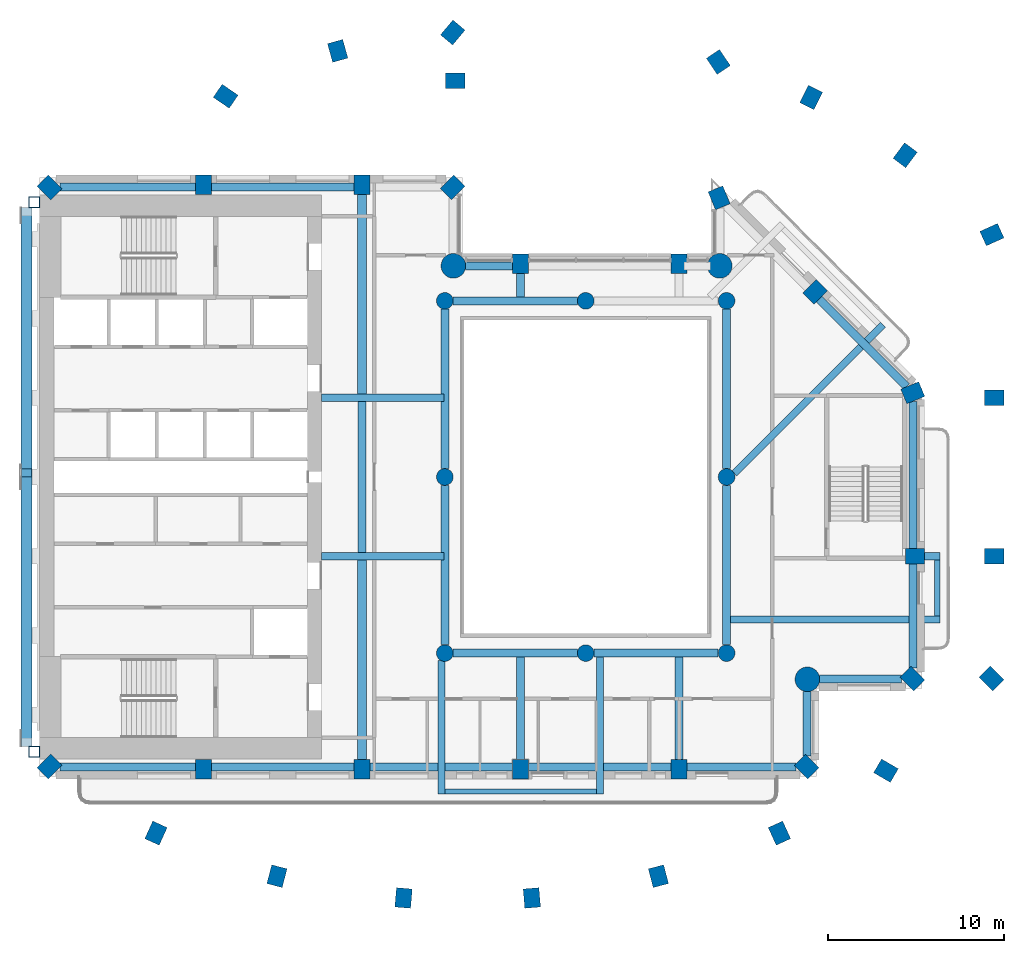
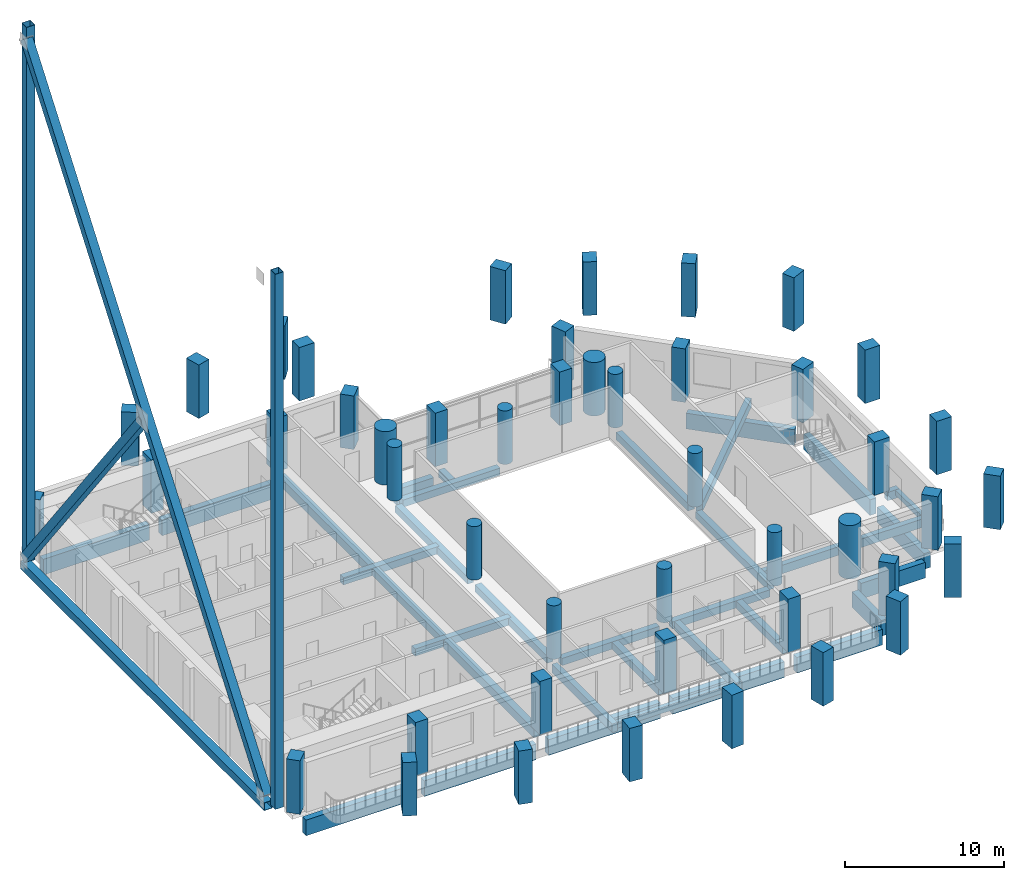
# One storey, part 1 of 16: 46 columns, 35 beams, 5 members.
"""IFC4 building model written with IfcOpenShell, lengths in metres."""

from ifc_helpers import new_model, si_unit, direction, frame, origin, origin_2d, place, context, subcontext, project, spatial, rectangle, hollow_rectangle, circle, extrude, material, material_profile, profile_set, type_object, element, save


model = new_model("IFC4")

# Units and contexts
model_context = context("Model", 3, precision=1e-05, world=origin(), true_north=direction((0.0, 1.0)))
body_context = subcontext(model_context, "Body", "Model", "MODEL_VIEW")
ifc_project = project(units=[si_unit("LENGTHUNIT", "METRE"), si_unit("AREAUNIT", "SQUARE_METRE"), si_unit("VOLUMEUNIT", "CUBIC_METRE"), si_unit("PLANEANGLEUNIT", "RADIAN"), si_unit("MASSUNIT", "GRAM", prefix="KILO")], contexts=[model_context])

# Site, building, storey
site_placement = place(None, origin())
site = spatial("IfcSite", under=ifc_project, at=site_placement, CompositionType="ELEMENT")
building_placement = place(site_placement, origin())
building = spatial("IfcBuilding", under=site, at=building_placement, Name="Cypress Arch Tower", CompositionType="ELEMENT")
storey_placement = place(building_placement, frame((0.0, 0.0, 197.39990234375)))
storey = spatial("IfcBuildingStorey", under=building, at=storey_placement, Name="L43", CompositionType="ELEMENT", Elevation=197.39990234375)

# Columns
ifc_material_1 = material(Name="Concrete C70/85", Category="concrete")
ifc_material_profile_1 = material_profile(ifc_material_1, rectangle(XDim=0.89990234375, YDim=1.10009765625, at=origin_2d()), Name="RC 900x1100")
ifc_profile_set_1 = profile_set([ifc_material_profile_1], Name="Concrete C70/85")
column_type_1 = type_object("IfcColumnType", Name="Column RC 900x1100 Concrete C70/85", PredefinedType="COLUMN", material=ifc_profile_set_1)
for number, where, z_axis, x_axis, name in (
    (1, (-29.44287109375, 16.44287109375, 0.0), (0.0, 0.0, 1.0), (-0.707106781187, -0.707106781187, 0.0), "Column L43 CB00"),
    (2, (-29.44287109375, -16.44287109375, 0.0), (0.0, 0.0, 1.0), (0.707106781187, -0.707106781187, 0.0), "Column L43 CB01"),
    (3, (-20.699951171875, -16.60009765625, 0.0), (0.0, 0.0, 1.0), (1.0, 0.0, 0.0), "Column L43 CB02"),
    (4, (-11.699951171875, -16.60009765625, 0.0), (0.0, 0.0, 1.0), (1.0, 0.0, 0.0), "Column L43 CB03"),
    (5, (-2.699951171875, -16.60009765625, 0.0), (0.0, 0.0, 1.0), (1.0, 0.0, 0.0), "Column L43 CB04"),
    (6, (6.300048828125, -16.60009765625, 0.0), (0.0, 0.0, 1.0), (1.0, 0.0, 0.0), "Column L43 CB05"),
    (7, (13.54296875, -16.44287109375, 0.0), (0.0, 0.0, 1.0), (0.707106781187, 0.707106781187, 0.0), "Column L43 CB06"),
    (8, (19.54296875, -11.44287109375, 0.0), (0.0, 0.0, 1.0), (0.707106781187, 0.707106781187, 0.0), "Column L43 CB08"),
    (9, (19.699951171875, -4.5, 0.0), (0.0, 0.0, 1.0), (0.0, 1.0, 0.0), "Column L43 CB09"),
    (10, (19.569580078125, 4.7802734375, 0.0), (0.0, 0.0, 1.0), (-0.382683496864, 0.923879505795, 0.0), "Column L43 CB10"),
    (11, (14.029296875, 10.505126953125, 0.0), (0.0, 0.0, 1.0), (-0.707106781187, 0.707106781187, 0.0), "Column L43 CB11"),
    (12, (8.576171875, 15.850341796875, 0.0), (0.0, 0.0, 1.0), (-0.923879672772, -0.382683093746, 0.0), "Column L43 CB12"),
    (13, (6.300048828125, 12.10009765625, 0.0), (0.0, 0.0, 1.0), (-1.0, 0.0, 0.0), "Column L43 CB14"),
    (14, (-2.699951171875, 12.10009765625, 0.0), (0.0, 0.0, 1.0), (-1.0, 0.0, 0.0), "Column L43 CB15"),
    (15, (-6.55712890625, 16.44287109375, 0.0), (0.0, 0.0, 1.0), (-0.707106781187, 0.707106781187, 0.0), "Column L43 CB17"),
    (16, (-11.699951171875, 16.60009765625, 0.0), (0.0, 0.0, 1.0), (-1.0, 0.0, 0.0), "Column L43 CB18"),
    (17, (-20.699951171875, 16.60009765625, 0.0), (0.0, 0.0, 1.0), (-1.0, 0.0, 0.0), "Column L43 CB19"),
    (18, (8.53076171875, 23.564697265625, 0.0), (0.0, 0.0, 1.0), (-0.828469606019, -0.560034027451, 0.0), "Column L43 CQ00"),
    (19, (-6.39990234375, 22.5, 0.0), (0.0, 0.0, 1.0), (0.0, 1.0, 0.0), "Column L43 CQ01"),
    (20, (-6.54833984375, 25.236572265625, 0.0), (0.0, 0.0, 1.0), (-0.766063514674, 0.642764880407, 0.0), "Column L43 CQ02"),
    (21, (-13.081298828125, 24.193359375, 0.0), (0.0, 0.0, 1.0), (-0.96345574646, -0.267867550506, 0.0), "Column L43 CQ03"),
    (22, (-19.44189453125, 21.616943359375, 0.0), (0.0, 0.0, 1.0), (-0.565892599589, -0.824478966215, 0.0), "Column L43 CQ04"),
    (23, (-23.398193359375, -20.221435546875, 0.0), (0.0, 0.0, 1.0), (0.909932071487, -0.414757308891, 0.0), "Column L43 CQ05"),
    (24, (-16.529052734375, -22.666259765625, 0.0), (0.0, 0.0, 1.0), (0.96735573689, -0.2534223319, 0.0), "Column L43 CQ06"),
    (25, (-9.3427734375, -23.903564453125, 0.0), (0.0, 0.0, 1.0), (0.996368206733, -0.085149260784, 0.0), "Column L43 CQ07"),
    (26, (-2.057373046875, -23.903564453125, 0.0), (0.0, 0.0, 1.0), (0.996368206733, 0.085149260784, 0.0), "Column L43 CQ08"),
    (27, (5.12890625, -22.666259765625, 0.0), (0.0, 0.0, 1.0), (0.96735573689, 0.2534223319, 0.0), "Column L43 CQ09"),
    (28, (11.998291015625, -20.221435546875, 0.0), (0.0, 0.0, 1.0), (0.909932071487, 0.414757308891, 0.0), "Column L43 CQ10"),
    (29, (18.048095703125, -16.677490234375, 0.0), (0.0, 0.0, 1.0), (0.504399289829, 0.86347053014, 0.0), "Column L43 CQ11"),
    (30, (24.04296875, -11.44287109375, 0.0), (0.0, 0.0, 1.0), (0.707106781187, 0.707106781187, 0.0), "Column L43 CQ12"),
    (31, (24.199951171875, -4.5, 0.0), (0.0, 0.0, 1.0), (0.0, 1.0, 0.0), "Column L43 CQ13"),
    (32, (24.199951171875, 4.5, 0.0), (0.0, 0.0, 1.0), (0.0, 1.0, 0.0), "Column L43 CQ14"),
    (33, (24.06396484375, 13.75927734375, 0.0), (0.0, 0.0, 1.0), (-0.409765058504, 0.912191096662, 0.0), "Column L43 CQ15"),
    (34, (19.13818359375, 18.267578125, 0.0), (0.0, 0.0, 1.0), (-0.802798546114, 0.596250362144, 0.0), "Column L43 CQ16"),
    (35, (13.80322265625, 21.549072265625, 0.0), (0.0, 0.0, 1.0), (-0.893106499805, 0.44984528452, 0.0), "Column L43 CQ17"),
):
    element("IfcColumn", number, at=place(storey_placement, frame(where, z_axis=z_axis, x_axis=x_axis)), inside=storey, type_object=column_type_1, Name=name, PredefinedType="COLUMN", context=body_context, shape_type="SweptSolid", body=[
        extrude(rectangle(XDim=0.89990234375, YDim=1.10009765625, at=origin_2d()), origin(), (0.0, 0.0, 1.0), 4.10009765625),
    ])
ifc_material_2 = material(Name="Concrete C70/85", Category="concrete")
ifc_material_profile_2 = material_profile(ifc_material_2, circle(Radius=0.47509765625, at=origin_2d()), Name="RC D950")
ifc_profile_set_2 = profile_set([ifc_material_profile_2], Name="Concrete C70/85")
column_type_2 = type_object("IfcColumnType", Name="Column RC D950 Concrete C70/85", PredefinedType="COLUMN", material=ifc_profile_set_2)
for number, where, z_axis, x_axis, name in (
    (36, (-7.0, -10.0, 0.0), (0.0, 0.0, 1.0), (1.0, 0.0, 0.0), "Column L43 RNG-L43-G-7-10"),
    (37, (-7.0, 0.0, 0.0), (0.0, 0.0, 1.0), (1.0, 0.0, 0.0), "Column L43 RNG-L43-G-7+0"),
    (38, (-7.0, 10.0, 0.0), (0.0, 0.0, 1.0), (1.0, 0.0, 0.0), "Column L43 RNG-L43-G-7+10"),
    (39, (1.0, -10.0, 0.0), (0.0, 0.0, 1.0), (1.0, 0.0, 0.0), "Column L43 RNG-L43-G+1-10"),
    (40, (1.0, 10.0, 0.0), (0.0, 0.0, 1.0), (1.0, 0.0, 0.0), "Column L43 RNG-L43-G+1+10"),
    (41, (9.0, -10.0, 0.0), (0.0, 0.0, 1.0), (1.0, 0.0, 0.0), "Column L43 RNG-L43-G+9-10"),
    (42, (9.0, 0.0, 0.0), (0.0, 0.0, 1.0), (1.0, 0.0, 0.0), "Column L43 RNG-L43-G+9+0"),
    (43, (9.0, 10.0, 0.0), (0.0, 0.0, 1.0), (1.0, 0.0, 0.0), "Column L43 RNG-L43-G+9+10"),
):
    element("IfcColumn", number, at=place(storey_placement, frame(where, z_axis=z_axis, x_axis=x_axis)), inside=storey, type_object=column_type_2, Name=name, PredefinedType="COLUMN", context=body_context, shape_type="SweptSolid", body=[
        extrude(circle(Radius=0.47509765625, at=origin_2d()), origin(), (0.0, 0.0, 1.0), 4.10009765625),
    ])
ifc_material_3 = material(Name="Concrete C70/85", Category="concrete")
ifc_material_profile_3 = material_profile(ifc_material_3, circle(Radius=0.699951171875, at=origin_2d()), Name="RC D1400")
ifc_profile_set_3 = profile_set([ifc_material_profile_3], Name="Concrete C70/85")
column_type_3 = type_object("IfcColumnType", Name="Mega-column RC D1400 Concrete C70/85", PredefinedType="COLUMN", material=ifc_profile_set_3)
for number, where, z_axis, x_axis, name in (
    (44, (13.587890625, -11.48779296875, 0.0), (0.0, 0.0, 1.0), (1.0, 0.0, 0.0), "Column L43 CB07"),
    (45, (8.612060546875, 11.98779296875, 0.0), (0.0, 0.0, 1.0), (1.0, 0.0, 0.0), "Column L43 CB13"),
    (46, (-6.51220703125, 11.98779296875, 0.0), (0.0, 0.0, 1.0), (1.0, 0.0, 0.0), "Column L43 CB16"),
):
    element("IfcColumn", number, at=place(storey_placement, frame(where, z_axis=z_axis, x_axis=x_axis)), inside=storey, type_object=column_type_3, Name=name, PredefinedType="COLUMN", context=body_context, shape_type="SweptSolid", body=[
        extrude(circle(Radius=0.699951171875, at=origin_2d()), origin(), (0.0, 0.0, 1.0), 4.10009765625),
    ])

# Beams
ifc_material_4 = material(Name="Concrete C50/60", Category="concrete")
ifc_material_profile_4 = material_profile(ifc_material_4, rectangle(XDim=0.300048828125, YDim=0.39990234375, at=origin_2d()), Name="RC 300x400")
ifc_profile_set_4 = profile_set([ifc_material_profile_4], Name="Concrete C50/60")
beam_type_1 = type_object("IfcBeamType", Name="Balcony edge beam RC 300x400 Concrete C50/60", PredefinedType="BEAM", material=ifc_profile_set_4)
beam_1_placement = place(storey_placement, frame((20.963623046875, -7.89990234375, -0.5), z_axis=(-0.002975496098, 0.999995573202, 0.0), x_axis=(-0.999995573202, -0.002975496098, 0.0)))
element("IfcBeam", 47, at=beam_1_placement, inside=storey, type_object=beam_type_1, Name="Balcony edge beam L43 B04", PredefinedType="BEAM", context=body_context, shape_type="SweptSolid", body=[
    extrude(rectangle(XDim=0.300048828125, YDim=0.39990234375, at=origin_2d()), origin(), (0.0, 0.0, 1.0), 3.199951171875),
])
ifc_material_5 = material(Name="Concrete C50/60", Category="concrete")
ifc_material_profile_5 = material_profile(ifc_material_5, rectangle(XDim=0.300048828125, YDim=0.449951171875, at=origin_2d()), Name="RC 300x450")
ifc_profile_set_5 = profile_set([ifc_material_profile_5], Name="Concrete C50/60")
beam_type_2 = type_object("IfcBeamType", Name="Balcony edge beam RC 300x450 Concrete C50/60", PredefinedType="BEAM", material=ifc_profile_set_5)
beam_2_placement = place(storey_placement, frame((-7.0, -17.861572265625, -0.52490234375), z_axis=(0.999999706255, 0.00076647908, 0.0), x_axis=(-0.00076647908, 0.999999706255, 0.0)))
element("IfcBeam", 48, at=beam_2_placement, inside=storey, type_object=beam_type_2, Name="Balcony edge beam L43 B01", PredefinedType="BEAM", context=body_context, shape_type="SweptSolid", body=[
    extrude(rectangle(XDim=0.300048828125, YDim=0.449951171875, at=origin_2d()), origin(), (0.0, 0.0, 1.0), 8.60009765625),
])
ifc_material_6 = material(Name="Concrete C50/60", Category="concrete")
ifc_material_profile_6 = material_profile(ifc_material_6, rectangle(XDim=0.39990234375, YDim=0.64990234375, at=origin_2d()), Name="RC 400x650")
ifc_profile_set_6 = profile_set([ifc_material_profile_6], Name="Concrete C50/60")
beam_type_3 = type_object("IfcBeamType", Name="Cantilever beam RC 400x650 Concrete C50/60", PredefinedType="BEAM", material=ifc_profile_set_6)
beam_3_placement = place(storey_placement, frame((-7.199951171875, -10.4306640625, -0.625), z_axis=(0.0, -1.0, 0.0), x_axis=(1.0, 0.0, 0.0)))
element("IfcBeam", 49, at=beam_3_placement, inside=storey, type_object=beam_type_3, Name="Cantilever beam L43 B01 1", PredefinedType="BEAM", context=body_context, shape_type="SweptSolid", body=[
    extrude(rectangle(XDim=0.39990234375, YDim=0.64990234375, at=origin_2d()), origin(), (0.0, 0.0, 1.0), 7.580810546875),
])
beam_4_placement = place(storey_placement, frame((1.800048828125, -10.22509765625, -0.625), z_axis=(0.0, -1.0, 0.0), x_axis=(1.0, 0.0, 0.0)))
element("IfcBeam", 50, at=beam_4_placement, inside=storey, type_object=beam_type_3, Name="Cantilever beam L43 B01 2", PredefinedType="BEAM", context=body_context, shape_type="SweptSolid", body=[
    extrude(rectangle(XDim=0.39990234375, YDim=0.64990234375, at=origin_2d()), origin(), (0.0, 0.0, 1.0), 7.77978515625),
])
beam_5_placement = place(storey_placement, frame((9.22509765625, -8.10009765625, -0.625), z_axis=(1.0, 0.0, 0.0), x_axis=(0.0, 1.0, 0.0)))
element("IfcBeam", 51, at=beam_5_placement, inside=storey, type_object=beam_type_3, Name="Cantilever beam L43 B04 1", PredefinedType="BEAM", context=body_context, shape_type="SweptSolid", body=[
    extrude(rectangle(XDim=0.39990234375, YDim=0.64990234375, at=origin_2d()), origin(), (0.0, 0.0, 1.0), 11.888427734375),
])
beam_6_placement = place(storey_placement, frame((20.25, -4.5, -0.625), z_axis=(1.0, 0.0, 0.0), x_axis=(0.0, 1.0, 0.0)))
element("IfcBeam", 52, at=beam_6_placement, inside=storey, type_object=beam_type_3, Name="Cantilever beam L43 B04 2", PredefinedType="BEAM", context=body_context, shape_type="SweptSolid", body=[
    extrude(rectangle(XDim=0.39990234375, YDim=0.64990234375, at=origin_2d()), origin(), (0.0, 0.0, 1.0), 0.854248046875),
])
beam_7_placement = place(storey_placement, frame((9.4287109375, 0.204345703125, -0.625), z_axis=(0.707106781187, 0.707106781187, 0.0), x_axis=(-0.707106781187, 0.707106781187, 0.0)))
element("IfcBeam", 53, at=beam_7_placement, inside=storey, type_object=beam_type_3, Name="Cantilever beam L43 B05 1", PredefinedType="BEAM", context=body_context, shape_type="SweptSolid", body=[
    extrude(rectangle(XDim=0.39990234375, YDim=0.64990234375, at=origin_2d()), origin(), (0.0, 0.0, 1.0), 11.94970703125),
])
ifc_material_7 = material(Name="Concrete C50/60", Category="concrete")
ifc_material_profile_7 = material_profile(ifc_material_7, rectangle(XDim=0.449951171875, YDim=0.550048828125, at=origin_2d()), Name="RC 450x550")
ifc_profile_set_7 = profile_set([ifc_material_profile_7], Name="Concrete C50/60")
beam_type_4 = type_object("IfcBeamType", Name="Floor beam RC 450x550 Concrete C50/60", PredefinedType="BEAM", material=ifc_profile_set_7)
for number, where, z_axis, x_axis, name in (
    (54, (-7.0, -9.52490234375, -0.574951171875), (0.0, 1.0, 0.0), (-1.0, 0.0, 0.0), "Floor beam L43 RB001"),
    (55, (-7.0, 0.47509765625, -0.574951171875), (0.0, 1.0, 0.0), (-1.0, 0.0, 0.0), "Floor beam L43 RB002"),
    (56, (9.0, -9.52490234375, -0.574951171875), (0.0, 1.0, 0.0), (-1.0, 0.0, 0.0), "Floor beam L43 RB003"),
    (57, (9.0, 0.47509765625, -0.574951171875), (0.0, 1.0, 0.0), (-1.0, 0.0, 0.0), "Floor beam L43 RB004"),
):
    element("IfcBeam", number, at=place(storey_placement, frame(where, z_axis=z_axis, x_axis=x_axis)), inside=storey, type_object=beam_type_4, Name=name, PredefinedType="BEAM", context=body_context, shape_type="SweptSolid", body=[
        extrude(rectangle(XDim=0.449951171875, YDim=0.550048828125, at=origin_2d()), origin(), (0.0, 0.0, 1.0), 9.0498046875),
    ])
for number, where, z_axis, x_axis, name in (
    (58, (-6.52490234375, -10.0, -0.574951171875), (1.0, 0.0, 0.0), (0.0, 1.0, 0.0), "Floor beam L43 RB005"),
    (59, (1.47509765625, -10.0, -0.574951171875), (1.0, 0.0, 0.0), (0.0, 1.0, 0.0), "Floor beam L43 RB006"),
    (60, (-6.52490234375, 10.0, -0.574951171875), (1.0, 0.0, 0.0), (0.0, 1.0, 0.0), "Floor beam L43 RB007"),
):
    element("IfcBeam", number, at=place(storey_placement, frame(where, z_axis=z_axis, x_axis=x_axis)), inside=storey, type_object=beam_type_4, Name=name, PredefinedType="BEAM", context=body_context, shape_type="SweptSolid", body=[
        extrude(rectangle(XDim=0.449951171875, YDim=0.550048828125, at=origin_2d()), origin(), (0.0, 0.0, 1.0), 7.0498046875),
    ])
for number, where, z_axis, x_axis, name in (
    (61, (-14.0, -4.5, -0.574951171875), (1.0, 0.0, 0.0), (0.0, 1.0, 0.0), "Floor beam L43 FB009"),
    (62, (-14.0, 4.5, -0.574951171875), (1.0, 0.0, 0.0), (0.0, 1.0, 0.0), "Floor beam L43 FB010"),
):
    element("IfcBeam", number, at=place(storey_placement, frame(where, z_axis=z_axis, x_axis=x_axis)), inside=storey, type_object=beam_type_4, Name=name, PredefinedType="BEAM", context=body_context, shape_type="SweptSolid", body=[
        extrude(rectangle(XDim=0.449951171875, YDim=0.550048828125, at=origin_2d()), origin(), (0.0, 0.0, 1.0), 6.949951171875),
    ])
beam_8_placement = place(storey_placement, frame((-11.699951171875, -4.27490234375, -0.574951171875), z_axis=(0.0, 1.0, 0.0), x_axis=(-1.0, 0.0, 0.0)))
element("IfcBeam", 63, at=beam_8_placement, inside=storey, type_object=beam_type_4, Name="Floor beam L43 FB012", PredefinedType="BEAM", context=body_context, shape_type="SweptSolid", body=[
    extrude(rectangle(XDim=0.449951171875, YDim=0.550048828125, at=origin_2d()), origin(), (0.0, 0.0, 1.0), 8.5498046875),
])
beam_9_placement = place(storey_placement, frame((-2.699951171875, -16.050048828125, -0.574951171875), z_axis=(0.0, 1.0, 0.0), x_axis=(-1.0, 0.0, 0.0)))
element("IfcBeam", 64, at=beam_9_placement, inside=storey, type_object=beam_type_4, Name="Floor beam L43 FB014", PredefinedType="BEAM", context=body_context, shape_type="SweptSolid", body=[
    extrude(rectangle(XDim=0.449951171875, YDim=0.550048828125, at=origin_2d()), origin(), (0.0, 0.0, 1.0), 5.824951171875),
])
beam_10_placement = place(storey_placement, frame((-2.699951171875, 10.22509765625, -0.574951171875), z_axis=(0.0, 1.0, 0.0), x_axis=(-1.0, 0.0, 0.0)))
element("IfcBeam", 65, at=beam_10_placement, inside=storey, type_object=beam_type_4, Name="Floor beam L43 FB015", PredefinedType="BEAM", context=body_context, shape_type="SweptSolid", body=[
    extrude(rectangle(XDim=0.449951171875, YDim=0.550048828125, at=origin_2d()), origin(), (0.0, 0.0, 1.0), 1.324951171875),
])
beam_11_placement = place(storey_placement, frame((6.300048828125, -16.050048828125, -0.574951171875), z_axis=(0.0, 1.0, 0.0), x_axis=(-1.0, 0.0, 0.0)))
element("IfcBeam", 66, at=beam_11_placement, inside=storey, type_object=beam_type_4, Name="Floor beam L43 FB016", PredefinedType="BEAM", context=body_context, shape_type="SweptSolid", body=[
    extrude(rectangle(XDim=0.449951171875, YDim=0.550048828125, at=origin_2d()), origin(), (0.0, 0.0, 1.0), 5.824951171875),
])
ifc_material_8 = material(Name="Concrete C50/60", Category="concrete")
ifc_material_profile_8 = material_profile(ifc_material_8, rectangle(XDim=0.5, YDim=0.64990234375, at=origin_2d()), Name="RC 500x650")
ifc_profile_set_8 = profile_set([ifc_material_profile_8], Name="Concrete C50/60")
beam_type_5 = type_object("IfcBeamType", Name="Floor beam RC 500x650 Concrete C50/60", PredefinedType="BEAM", material=ifc_profile_set_8)
for number, where, z_axis, x_axis, name in (
    (67, (-11.699951171875, -16.050048828125, -0.625), (0.0, 1.0, 0.0), (-1.0, 0.0, 0.0), "Floor beam L43 FB011"),
    (68, (-11.699951171875, 4.72509765625, -0.625), (0.0, 1.0, 0.0), (-1.0, 0.0, 0.0), "Floor beam L43 FB013"),
):
    element("IfcBeam", number, at=place(storey_placement, frame(where, z_axis=z_axis, x_axis=x_axis)), inside=storey, type_object=beam_type_5, Name=name, PredefinedType="BEAM", context=body_context, shape_type="SweptSolid", body=[
        extrude(rectangle(XDim=0.5, YDim=0.64990234375, at=origin_2d()), origin(), (0.0, 0.0, 1.0), 11.324951171875),
    ])
ifc_material_9 = material(Name="Concrete C50/60", Category="concrete")
ifc_material_profile_9 = material_profile(ifc_material_9, rectangle(XDim=0.449951171875, YDim=1.199951171875, at=origin_2d()), Name="RC 450x1200")
ifc_profile_set_9 = profile_set([ifc_material_profile_9], Name="Concrete C50/60")
beam_type_6 = type_object("IfcBeamType", Name="Spandrel beam RC 450x1200 Concrete C50/60", PredefinedType="SPANDREL", material=ifc_profile_set_9)
beam_12_placement = place(storey_placement, frame((-28.838623046875, -16.47509765625, -1.5498046875), z_axis=(1.0, 0.0, 0.0), x_axis=(0.0, 1.0, 0.0)))
element("IfcBeam", 69, at=beam_12_placement, inside=storey, type_object=beam_type_6, Name="Spandrel beam L43 BB01-0", PredefinedType="SPANDREL", context=body_context, shape_type="SweptSolid", body=[
    extrude(rectangle(XDim=0.449951171875, YDim=1.199951171875, at=origin_2d()), origin(), (0.0, 0.0, 1.0), 7.688720703125),
])
for number, where, z_axis, x_axis, name in (
    (70, (-20.25, -16.47509765625, -1.5498046875), (1.0, 0.0, 0.0), (0.0, 1.0, 0.0), "Spandrel beam L43 BB01-1"),
    (71, (-11.25, -16.47509765625, -1.5498046875), (1.0, 0.0, 0.0), (0.0, 1.0, 0.0), "Spandrel beam L43 BB01-2"),
    (72, (-2.25, -16.47509765625, -1.5498046875), (1.0, 0.0, 0.0), (0.0, 1.0, 0.0), "Spandrel beam L43 BB01-3"),
):
    element("IfcBeam", number, at=place(storey_placement, frame(where, z_axis=z_axis, x_axis=x_axis)), inside=storey, type_object=beam_type_6, Name=name, PredefinedType="SPANDREL", context=body_context, shape_type="SweptSolid", body=[
        extrude(rectangle(XDim=0.449951171875, YDim=1.199951171875, at=origin_2d()), origin(), (0.0, 0.0, 1.0), 8.10009765625),
    ])
beam_13_placement = place(storey_placement, frame((6.75, -16.47509765625, -1.5498046875), z_axis=(1.0, 0.0, 0.0), x_axis=(0.0, 1.0, 0.0)))
element("IfcBeam", 73, at=beam_13_placement, inside=storey, type_object=beam_type_6, Name="Spandrel beam L43 BB01-4", PredefinedType="SPANDREL", context=body_context, shape_type="SweptSolid", body=[
    extrude(rectangle(XDim=0.449951171875, YDim=1.199951171875, at=origin_2d()), origin(), (0.0, 0.0, 1.0), 6.188720703125),
])
beam_14_placement = place(storey_placement, frame((13.574951171875, -15.838623046875, -1.5498046875), z_axis=(0.0, 1.0, 0.0), x_axis=(-1.0, 0.0, 0.0)))
element("IfcBeam", 74, at=beam_14_placement, inside=storey, type_object=beam_type_6, Name="Spandrel beam L43 BB02-0", PredefinedType="SPANDREL", context=body_context, shape_type="SweptSolid", body=[
    extrude(rectangle(XDim=0.449951171875, YDim=1.199951171875, at=origin_2d()), origin(), (0.0, 0.0, 1.0), 3.651123046875),
])
beam_15_placement = place(storey_placement, frame((14.28759765625, -11.47509765625, -1.5498046875), z_axis=(1.0, 0.0, 0.0), x_axis=(0.0, 1.0, 0.0)))
element("IfcBeam", 75, at=beam_15_placement, inside=storey, type_object=beam_type_6, Name="Spandrel beam L43 BB03-0", PredefinedType="SPANDREL", context=body_context, shape_type="SweptSolid", body=[
    extrude(rectangle(XDim=0.449951171875, YDim=1.199951171875, at=origin_2d()), origin(), (0.0, 0.0, 1.0), 4.651123046875),
])
beam_16_placement = place(storey_placement, frame((19.574951171875, -10.838623046875, -1.5498046875), z_axis=(0.0, 1.0, 0.0), x_axis=(-1.0, 0.0, 0.0)))
element("IfcBeam", 76, at=beam_16_placement, inside=storey, type_object=beam_type_6, Name="Spandrel beam L43 BB04-0", PredefinedType="SPANDREL", context=body_context, shape_type="SweptSolid", body=[
    extrude(rectangle(XDim=0.449951171875, YDim=1.199951171875, at=origin_2d()), origin(), (0.0, 0.0, 1.0), 5.888671875),
])
beam_17_placement = place(storey_placement, frame((19.574951171875, -4.050048828125, -1.5498046875), z_axis=(0.0, 1.0, 0.0), x_axis=(-1.0, 0.0, 0.0)))
element("IfcBeam", 77, at=beam_17_placement, inside=storey, type_object=beam_type_6, Name="Spandrel beam L43 BB04-1", PredefinedType="SPANDREL", context=body_context, shape_type="SweptSolid", body=[
    extrude(rectangle(XDim=0.449951171875, YDim=1.199951171875, at=origin_2d()), origin(), (0.0, 0.0, 1.0), 8.345458984375),
])
beam_18_placement = place(storey_placement, frame((19.23046875, 5.126953125, -1.5498046875), z_axis=(-0.707106781187, 0.707106781187, 0.0), x_axis=(-0.707106781187, -0.707106781187, 0.0)))
element("IfcBeam", 78, at=beam_18_placement, inside=storey, type_object=beam_type_6, Name="Spandrel beam L43 BB05-0", PredefinedType="SPANDREL", context=body_context, shape_type="SweptSolid", body=[
    extrude(rectangle(XDim=0.449951171875, YDim=1.199951171875, at=origin_2d()), origin(), (0.0, 0.0, 1.0), 7.03076171875),
])
beam_19_placement = place(storey_placement, frame((-3.14990234375, 11.97509765625, -1.5498046875), z_axis=(-1.0, 0.0, 0.0), x_axis=(0.0, -1.0, 0.0)))
element("IfcBeam", 79, at=beam_19_placement, inside=storey, type_object=beam_type_6, Name="Spandrel beam L43 BB07-2", PredefinedType="SPANDREL", context=body_context, shape_type="SweptSolid", body=[
    extrude(rectangle(XDim=0.449951171875, YDim=1.199951171875, at=origin_2d()), origin(), (0.0, 0.0, 1.0), 2.66259765625),
])
beam_20_placement = place(storey_placement, frame((-12.14990234375, 16.47509765625, -1.5498046875), z_axis=(-1.0, 0.0, 0.0), x_axis=(0.0, -1.0, 0.0)))
element("IfcBeam", 80, at=beam_20_placement, inside=storey, type_object=beam_type_6, Name="Spandrel beam L43 BB09-1", PredefinedType="SPANDREL", context=body_context, shape_type="SweptSolid", body=[
    extrude(rectangle(XDim=0.449951171875, YDim=1.199951171875, at=origin_2d()), origin(), (0.0, 0.0, 1.0), 8.10009765625),
])
beam_21_placement = place(storey_placement, frame((-21.14990234375, 16.47509765625, -1.5498046875), z_axis=(-1.0, 0.0, 0.0), x_axis=(0.0, -1.0, 0.0)))
element("IfcBeam", 81, at=beam_21_placement, inside=storey, type_object=beam_type_6, Name="Spandrel beam L43 BB09-2", PredefinedType="SPANDREL", context=body_context, shape_type="SweptSolid", body=[
    extrude(rectangle(XDim=0.449951171875, YDim=1.199951171875, at=origin_2d()), origin(), (0.0, 0.0, 1.0), 7.688720703125),
])

# Members
ifc_material_10 = material(Name="Steel ASTM A501 Grade B", Category="steel")
ifc_material_profile_10 = material_profile(ifc_material_10, hollow_rectangle(XDim=0.609619140625, YDim=0.609619140625, WallThickness=0.023681640625, at=origin_2d()), Name="HSS 24x24x1")
ifc_profile_set_10 = profile_set([ifc_material_profile_10], Name="Steel ASTM A501 Grade B")
member_type_1 = type_object("IfcMemberType", Name="West bracing chord HSS 24x24x1 Steel ASTM A501 Grade B", PredefinedType="CHORD", material=ifc_profile_set_10)
member_1_placement = place(storey_placement, frame((-30.7548828125, -15.295166015625, 0.0), z_axis=(0.0, 1.0, 0.0), x_axis=(-1.0, 0.0, 0.0)))
element("IfcMember", 82, at=member_1_placement, inside=storey, type_object=member_type_1, Name="West bracing chord 4", PredefinedType="CHORD", context=body_context, shape_type="SweptSolid", body=[
    extrude(hollow_rectangle(XDim=0.609619140625, YDim=0.609619140625, WallThickness=0.023681640625, at=origin_2d()), origin(), (0.0, 0.0, 1.0), 30.59033203125),
])
ifc_material_11 = material(Name="Steel ASTM A501 Grade B", Category="steel")
ifc_material_profile_11 = material_profile(ifc_material_11, hollow_rectangle(XDim=0.609619140625, YDim=0.609619140625, WallThickness=0.023681640625, at=origin_2d()), Name="HSS 24x24x1")
ifc_profile_set_11 = profile_set([ifc_material_profile_11], Name="Steel ASTM A501 Grade B")
member_type_2 = type_object("IfcMemberType", Name="West bracing diagonal HSS 24x24x1 Steel ASTM A501 Grade B", PredefinedType="BRACE", material=ifc_profile_set_11)
member_2_placement = place(storey_placement, frame((-30.7548828125, -15.052734375, 0.625), z_axis=(0.0, 0.603751256115, 0.797172767184), x_axis=(-1.0, 0.0, 0.0)))
element("IfcMember", 83, at=member_2_placement, inside=storey, type_object=member_type_2, Name="West bracing diagonal 4A", PredefinedType="BRACE", context=body_context, shape_type="SweptSolid", body=[
    extrude(hollow_rectangle(XDim=0.609619140625, YDim=0.609619140625, WallThickness=0.023681640625, at=origin_2d()), origin(), (0.0, 0.0, 1.0), 49.864013671875),
])
member_3_placement = place(storey_placement, frame((-30.7548828125, 15.052734375, 0.625), z_axis=(0.0, -0.603751524231, 0.797172564122), x_axis=(1.0, 0.0, 0.0)))
element("IfcMember", 84, at=member_3_placement, inside=storey, type_object=member_type_2, Name="West bracing diagonal 4C", PredefinedType="BRACE", context=body_context, shape_type="SweptSolid", body=[
    extrude(hollow_rectangle(XDim=0.609619140625, YDim=0.609619140625, WallThickness=0.023681640625, at=origin_2d()), origin(), (0.0, 0.0, 1.0), 24.530029296875),
])
ifc_material_12 = material(Name="Steel ASTM A501 Grade B", Category="steel")
ifc_material_profile_12 = material_profile(ifc_material_12, hollow_rectangle(XDim=0.609619140625, YDim=0.609619140625, WallThickness=0.023681640625, at=origin_2d()), Name="HSS 24x24x1")
ifc_profile_set_12 = profile_set([ifc_material_profile_12], Name="Steel ASTM A501 Grade B")
member_type_3 = type_object("IfcMemberType", Name="West bracing post HSS 24x24x1 Steel ASTM A501 Grade B", PredefinedType="POST", material=ifc_profile_set_12)
for number, where, z_axis, x_axis, name in (
    (85, (-30.3046875, -15.60009765625, 0.0), (0.0, 0.0, 1.0), (1.0, 0.0, 0.0), "West bracing post 4S"),
    (86, (-30.3046875, 15.60009765625, 0.0), (0.0, 0.0, 1.0), (1.0, 0.0, 0.0), "West bracing post 4N"),
):
    element("IfcMember", number, at=place(storey_placement, frame(where, z_axis=z_axis, x_axis=x_axis)), inside=storey, type_object=member_type_3, Name=name, PredefinedType="POST", context=body_context, shape_type="SweptSolid", body=[
        extrude(hollow_rectangle(XDim=0.609619140625, YDim=0.609619140625, WallThickness=0.023681640625, at=origin_2d()), origin(), (0.0, 0.0, 1.0), 41.0),
    ])

save(model, "model.ifc")
